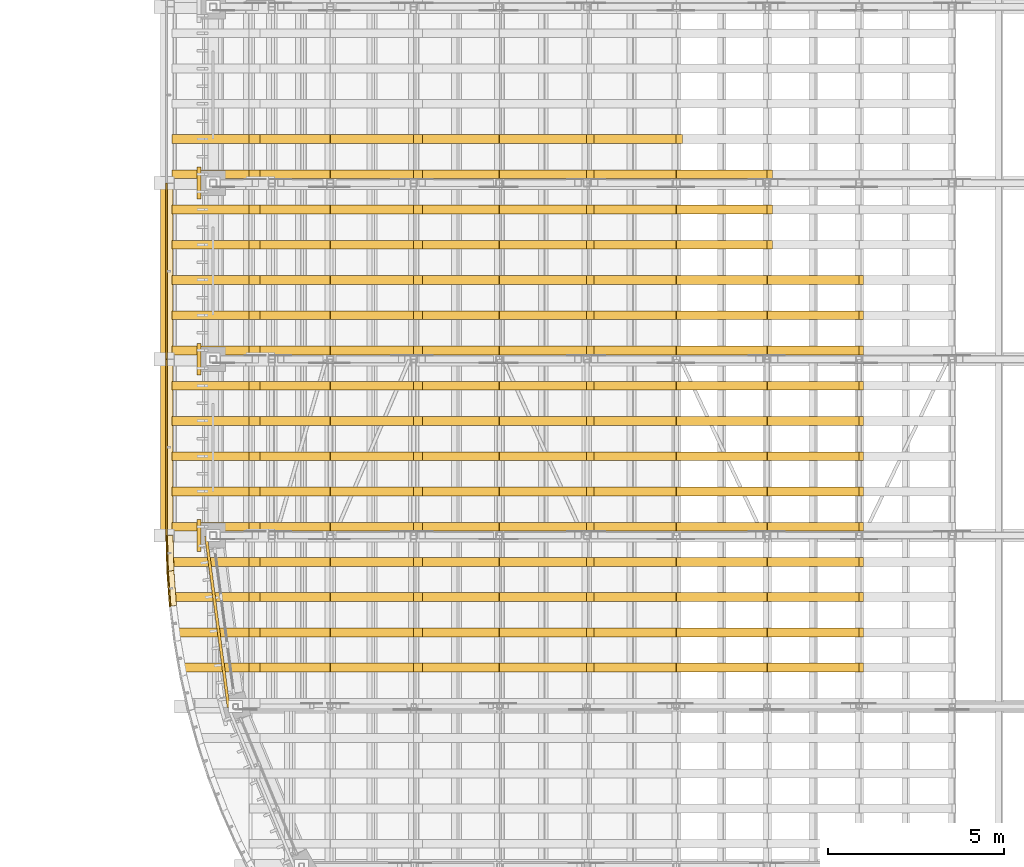
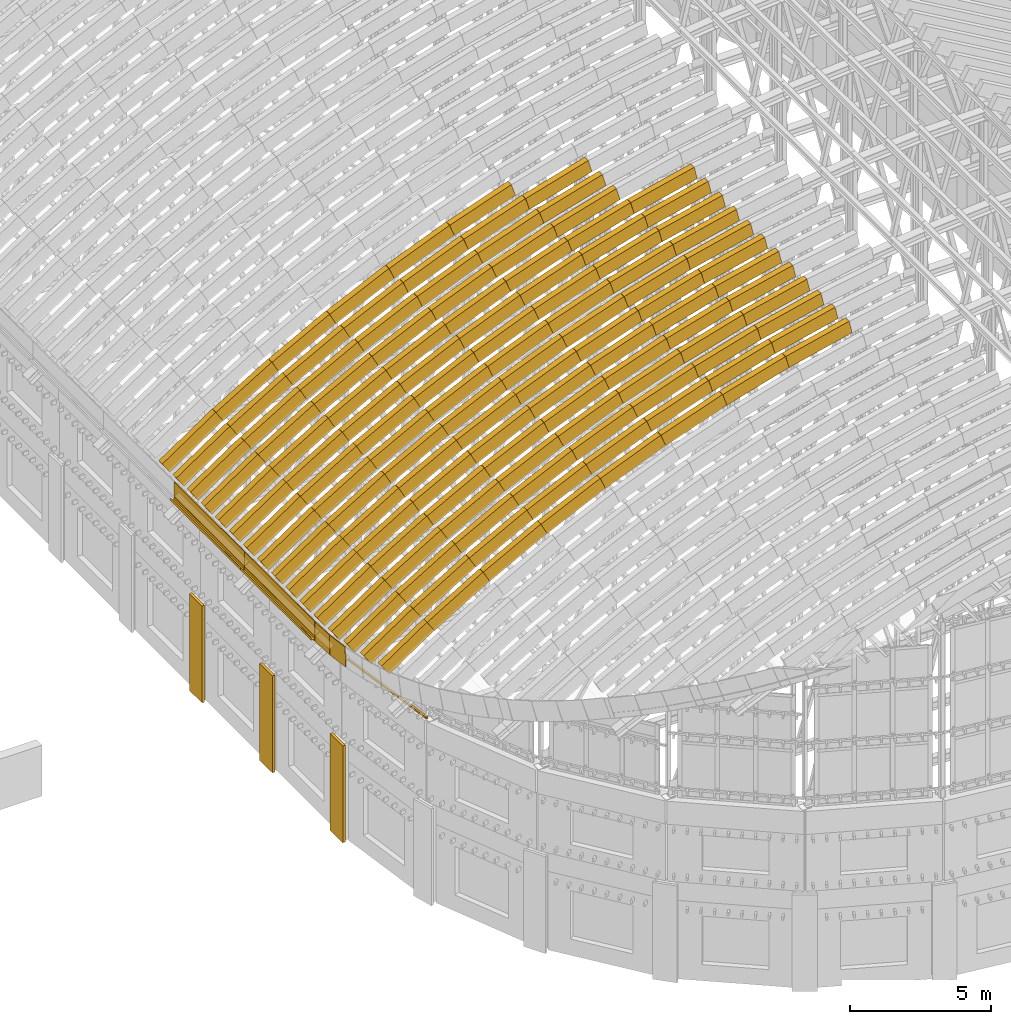
# One storey, part 85 of 105: 137 coverings.
"""IFC4 building model written with IfcOpenShell, lengths in metres."""

import ifcopenshell
import ifcopenshell.guid

model = None  # the IFC model being written
_history = None  # IfcOwnerHistory: only IFC2X3 demands one
_inside = {}  # id of a spatial element -> (the spatial element, [elements in it])
_under = {}  # id of a project, library or spatial element -> (it, [spatial elements below it])
_declared = {}  # id of a project -> (the project, [libraries it declares])
_typed = {}  # id of a type object -> (the type object, [elements of that type])
_made_of = {}  # id of a material, layer set ... -> (it, [elements and type objects made of it])


def new_model(schema):
    """Start an empty IFC model of exactly this schema.

    Asked for "IFC4X3", IfcOpenShell would pick the latest addendum, in which some entities
    have other attributes; the version numbers below select the first issue.
    IFC2X3 requires an IfcOwnerHistory on every rooted entity: one is made here for all.
    """
    global model, _history
    if schema == "IFC4X3":
        model = ifcopenshell.file(schema_version=(4, 3, 0, 0))
    else:
        model = ifcopenshell.file(schema=schema)
    _inside.clear()
    _under.clear()
    _declared.clear()
    _typed.clear()
    _made_of.clear()
    _history = None
    if model.schema == "IFC2X3":
        org = make("IfcOrganization", Name="unknown")
        user = make(
            "IfcPersonAndOrganization",
            ThePerson=make("IfcPerson", FamilyName="unknown"),
            TheOrganization=org,
        )
        app = make(
            "IfcApplication",
            ApplicationDeveloper=org,
            Version="unknown",
            ApplicationFullName="unknown",
            ApplicationIdentifier="unknown",
        )
        _history = make(
            "IfcOwnerHistory",
            OwningUser=user,
            OwningApplication=app,
            ChangeAction="ADDED",
            CreationDate=0,
        )
    return model


def make(cls, **values):
    """One entity of the class cls with the attributes given. An attribute that is None is left unset."""
    return model.create_entity(
        cls, **{name: value for name, value in values.items() if value is not None}
    )


def rooted(cls, **values):
    """An entity with a GlobalId (a new one), such as an element, a storey or a relation."""
    return make(cls, GlobalId=ifcopenshell.guid.new(), OwnerHistory=_history, **values)


def si_unit(unit_type, name, prefix=None):
    """IfcSIUnit, for example si_unit("LENGTHUNIT", "METRE", prefix="MILLI")."""
    return make("IfcSIUnit", UnitType=unit_type, Prefix=prefix, Name=name)


def assignment(units):
    """IfcUnitAssignment: the units of a project."""
    return None if units is None else make("IfcUnitAssignment", Units=units)


def point(xyz):
    """IfcCartesianPoint."""
    return None if xyz is None else make("IfcCartesianPoint", Coordinates=xyz)


def direction(xyz):
    """IfcDirection."""
    return None if xyz is None else make("IfcDirection", DirectionRatios=xyz)


def frame(location, z_axis=None, x_axis=None):
    """IfcAxis2Placement3D, a coordinate frame: its origin and axes. An axis left out is left unset."""
    return make(
        "IfcAxis2Placement3D",
        Location=point(location),
        Axis=direction(z_axis),
        RefDirection=direction(x_axis),
    )


def frame_2d(location, x_axis=None):
    """IfcAxis2Placement2D, a coordinate frame in the plane: its origin and x axis."""
    return make(
        "IfcAxis2Placement2D", Location=point(location), RefDirection=direction(x_axis)
    )


def origin():
    """The frame at (0, 0, 0) with its axes left unset."""
    return frame((0.0, 0.0, 0.0))


def origin_2d():
    """The frame at (0, 0) in the plane with its x axis left unset."""
    return frame_2d((0.0, 0.0))


def place(relative_to, where):
    """IfcLocalPlacement: puts the frame where relative to a parent placement (None: the world)."""
    return make(
        "IfcLocalPlacement", PlacementRelTo=relative_to, RelativePlacement=where
    )


def context(
    kind, dimensions, precision=None, world=None, true_north=None, identifier=None
):
    """IfcGeometricRepresentationContext, for example the 3D "Model" context."""
    return make(
        "IfcGeometricRepresentationContext",
        ContextIdentifier=identifier,
        ContextType=kind,
        CoordinateSpaceDimension=dimensions,
        Precision=precision,
        WorldCoordinateSystem=world,
        TrueNorth=true_north,
    )


def subcontext(parent, identifier, kind, view, scale=None):
    """IfcGeometricRepresentationSubContext, for example "Body" below "Model"."""
    return make(
        "IfcGeometricRepresentationSubContext",
        ContextIdentifier=identifier,
        ContextType=kind,
        ParentContext=parent,
        TargetScale=scale,
        TargetView=view,
    )


def project(units=None, contexts=None):
    """IfcProject with its units and contexts."""
    return rooted(
        "IfcProject",
        Name="project",
        RepresentationContexts=contexts,
        UnitsInContext=assignment(units),
    )


def spatial(cls, under=None, at=None, **own):
    """A site, building, storey or space (cls), placed at a placement, below another one or the project."""
    s = rooted(cls, ObjectPlacement=at, **own)
    if under is not None:
        _under.setdefault(under.id(), (under, []))[1].append(s)
    return s


def polyline(points):
    """IfcPolyline through the points."""
    return make("IfcPolyline", Points=[point(p) for p in points])


def profile(cls, at=None, kind="AREA", **sizes):
    """A parametric profile (cls). Its sizes go by their IFC names, for example OverallWidth=200.0."""
    return make(cls, ProfileType=kind, Position=at, **sizes)


def rectangle(**sizes):
    """IfcRectangleProfileDef."""
    return profile("IfcRectangleProfileDef", **sizes)


def outline(outer, holes=None, kind="AREA"):
    """IfcArbitraryClosedProfileDef: a profile drawn as a closed curve; with holes, ...WithVoids."""
    if holes is None:
        return make("IfcArbitraryClosedProfileDef", ProfileType=kind, OuterCurve=outer)
    return make(
        "IfcArbitraryProfileDefWithVoids",
        ProfileType=kind,
        OuterCurve=outer,
        InnerCurves=holes,
    )


def extrude(swept, where, along, depth):
    """IfcExtrudedAreaSolid: the profile swept, set in the frame where, extruded along a direction by depth."""
    return make(
        "IfcExtrudedAreaSolid",
        SweptArea=swept,
        Position=where,
        ExtrudedDirection=direction(along),
        Depth=depth,
    )


def shape(context_of_items, identifier, shape_type, items):
    """IfcShapeRepresentation: the items that make up one representation, for example the "Body"."""
    return make(
        "IfcShapeRepresentation",
        ContextOfItems=context_of_items,
        RepresentationIdentifier=identifier,
        RepresentationType=shape_type,
        Items=items,
    )


def material(Name=None, Category=None):
    """IfcMaterial."""
    return make("IfcMaterial", Name=Name, Category=Category)


def layer(
    of_material, thickness, ventilated=None, Name=None, Category=None, Priority=None
):
    """IfcMaterialLayer: one layer of a wall or slab, of a material (None: an air gap)."""
    return make(
        "IfcMaterialLayer",
        Material=of_material,
        LayerThickness=thickness,
        IsVentilated=ventilated,
        Name=Name,
        Category=Category,
        Priority=Priority,
    )


def layer_set(layers, Name=None):
    """IfcMaterialLayerSet."""
    return make("IfcMaterialLayerSet", MaterialLayers=layers, LayerSetName=Name)


def material_profile(
    of_material, cross_section, Name=None, Category=None, Priority=None
):
    """IfcMaterialProfile: a cross section and its material."""
    return make(
        "IfcMaterialProfile",
        Name=Name,
        Material=of_material,
        Profile=cross_section,
        Priority=Priority,
        Category=Category,
    )


def profile_set(profiles, Name=None, composite=None):
    """IfcMaterialProfileSet."""
    return make(
        "IfcMaterialProfileSet",
        Name=Name,
        MaterialProfiles=profiles,
        CompositeProfile=composite,
    )


def made_of(thing, what):
    """Note that an element or type object is made of a material, layer set ...; save() writes the relation."""
    if what is not None:
        _made_of.setdefault(what.id(), (what, []))[1].append(thing)
    return thing


def type_object(cls, material=None, **own):
    """A type object (cls), such as IfcWallType, which elements share."""
    return made_of(rooted(cls, **own), material)


def element(
    cls,
    number,
    at=None,
    inside=None,
    cuts=None,
    type_object=None,
    material=None,
    context=None,
    identifier="Body",
    shape_type=None,
    held_by="IfcProductDefinitionShape",
    body=None,
    shapes=None,
    **own,
):
    """One element of the class cls, such as IfcWall. Its Tag is "e" and its number.

    at: its placement. inside: the storey or other place that contains it. cuts: it is an
    opening in that element (IfcRelVoidsElement). A single representation is given by context,
    identifier, shape_type and body (its items); several are given by shapes. held_by: the class
    of the entity that holds the representations. save() writes the other relations.
    """
    e = rooted(cls, Tag="e%d" % number, ObjectPlacement=at, **own)
    if body is not None:
        shapes = [shape(context, identifier, shape_type, body)]
    if shapes is not None:
        e.Representation = make(held_by, Representations=shapes)
    if inside is not None:
        _inside.setdefault(inside.id(), (inside, []))[1].append(e)
    if cuts is not None:
        rooted(
            "IfcRelVoidsElement", RelatingBuildingElement=cuts, RelatedOpeningElement=e
        )
    if type_object is not None:
        _typed.setdefault(type_object.id(), (type_object, []))[1].append(e)
    return made_of(e, material)


def aggregate(whole, parts):
    """IfcRelAggregates: a whole, such as a stair, and the parts it consists of."""
    return rooted("IfcRelAggregates", RelatingObject=whole, RelatedObjects=parts)


def save(model, path):
    """Write the relations noted so far, then the file.

    IfcRelAggregates (storeys below a building ...), IfcRelContainedInSpatialStructure (elements
    in a storey), IfcRelDefinesByType, IfcRelAssociatesMaterial and IfcRelDeclares: one each for
    every whole, place, type object, material and project.
    """
    for whole, parts in _under.values():
        aggregate(whole, parts)
    for where, things in _inside.values():
        rooted(
            "IfcRelContainedInSpatialStructure",
            RelatedElements=things,
            RelatingStructure=where,
        )
    for kind, things in _typed.values():
        rooted("IfcRelDefinesByType", RelatedObjects=things, RelatingType=kind)
    for what, things in _made_of.values():
        rooted("IfcRelAssociatesMaterial", RelatedObjects=things, RelatingMaterial=what)
    for by, libraries in _declared.values():
        rooted("IfcRelDeclares", RelatingContext=by, RelatedDefinitions=libraries)
    model.write(path)


model = new_model("IFC4")

# Units and contexts
model_context = context("Model", 3, precision=1e-05, world=origin(), true_north=direction((0.0, 1.0)))
body_context = subcontext(model_context, "Body", "Model", "MODEL_VIEW")
ifc_project = project(units=[si_unit("LENGTHUNIT", "METRE"), si_unit("AREAUNIT", "SQUARE_METRE"), si_unit("VOLUMEUNIT", "CUBIC_METRE"), si_unit("PLANEANGLEUNIT", "RADIAN"), si_unit("MASSUNIT", "GRAM", prefix="KILO")], contexts=[model_context])

# Site, building, storey
site_placement = place(None, origin())
site = spatial("IfcSite", under=ifc_project, at=site_placement, CompositionType="ELEMENT")
building_placement = place(site_placement, origin())
building = spatial("IfcBuilding", under=site, at=building_placement, Name="Wasatch Bagh Community Centre", CompositionType="ELEMENT")
storey_placement = place(building_placement, frame((0.0, 0.0, 16.800048828125)))
storey = spatial("IfcBuildingStorey", under=building, at=storey_placement, Name="L04", CompositionType="ELEMENT", Elevation=16.800048828125)

# Coverings
ifc_material_1 = material(Name="White precast concrete C40/50", Category="concrete")
ifc_layer = layer(ifc_material_1, 0.10009765625)
ifc_layer_set = layer_set([ifc_layer], Name="White precast concrete C40/50")
covering_type_1 = type_object("IfcCoveringType", Name="MH column casing", PredefinedType="CLADDING", material=ifc_layer_set)
for number, where, z_axis, x_axis, name in (
    (1, (16.85009765625, 35.0, 0.0), (0.0, 0.0, 1.0), (0.0, -1.0, 0.0), "Column casing W1 L04"),
    (2, (16.85009765625, 40.0, 0.0), (0.0, 0.0, 1.0), (0.0, -1.0, 0.0), "Column casing W2 L04"),
    (3, (16.85009765625, 45.0, 0.0), (0.0, 0.0, 1.0), (0.0, -1.0, 0.0), "Column casing W3 L04"),
):
    element("IfcCovering", number, at=place(storey_placement, frame(where, z_axis=z_axis, x_axis=x_axis)), inside=storey, type_object=covering_type_1, Name=name, PredefinedType="CLADDING", context=body_context, shape_type="SweptSolid", body=[
        extrude(rectangle(XDim=0.89990234375, YDim=0.10009765625, at=origin_2d()), origin(), (0.0, 0.0, 1.0), 4.199951171875),
    ])
ifc_material_2 = material(Name="ASTM A653 Grade 50 steel, zinc-aluminium coated", Category="steel")
ifc_material_profile_1 = material_profile(ifc_material_2, outline(polyline([(-0.080078125, 0.0029296875), (0.152099609375, 0.0029296875), (0.152099609375, -0.031982421875), (0.14892578125, -0.031982421875), (0.14892578125, 0.0), (-0.080078125, 0.0), (-0.080078125, 0.0029296875)])), Name="DRIP EDGE")
ifc_profile_set_1 = profile_set([ifc_material_profile_1], Name="ASTM A653 Grade 50 steel, zinc-aluminium coated")
covering_type_2 = type_object("IfcCoveringType", Name="MH drip edge", PredefinedType="CLADDING", material=ifc_profile_set_1)
covering_1_placement = place(storey_placement, frame((16.147705078125, 33.00927734375, 9.140380859375), z_axis=(-0.073572812373, 0.996062690583, -0.049458646444), x_axis=(-0.82552461009, -0.088651480683, -0.557359877555)))
element("IfcCovering", 4, at=covering_1_placement, inside=storey, type_object=covering_type_2, Name="Drip edge 76", PredefinedType="CLADDING", context=body_context, shape_type="SweptSolid", body=[
    extrude(outline(polyline([(-0.080078125, 0.0029296875), (0.152099609375, 0.0029296875), (0.152099609375, -0.031982421875), (0.14892578125, -0.031982421875), (0.14892578125, 0.0), (-0.080078125, 0.0), (-0.080078125, 0.0029296875)])), origin(), (0.0, 0.0, 1.0), 0.9921875),
])
covering_2_placement = place(storey_placement, frame((16.074462890625, 34.00537109375, 9.091064453125), z_axis=(-0.024631746322, 0.999556265746, -0.016749587499), x_axis=(-0.828421906561, -0.029786940563, -0.559311972786)))
element("IfcCovering", 5, at=covering_2_placement, inside=storey, type_object=covering_type_2, Name="Drip edge 77", PredefinedType="CLADDING", context=body_context, shape_type="SweptSolid", body=[
    extrude(outline(polyline([(-0.080078125, 0.0029296875), (0.152099609375, 0.0029296875), (0.152099609375, -0.031982421875), (0.14892578125, -0.031982421875), (0.14892578125, 0.0), (-0.080078125, 0.0), (-0.080078125, 0.0029296875)])), origin(), (0.0, 0.0, 1.0), 0.9912109375),
])
for number, where, z_axis, x_axis, name in (
    (6, (16.050048828125, 35.00390625, 9.074462890625), (0.0, 1.0, 0.0), (-0.828790536479, 0.0, -0.559558975125), "Drip edge 78"),
    (7, (16.050048828125, 40.00390625, 9.074462890625), (0.0, 1.0, 0.0), (-0.828790536479, 0.0, -0.559558975125), "Drip edge 79"),
):
    element("IfcCovering", number, at=place(storey_placement, frame(where, z_axis=z_axis, x_axis=x_axis)), inside=storey, type_object=covering_type_2, Name=name, PredefinedType="CLADDING", context=body_context, shape_type="SweptSolid", body=[
        extrude(outline(polyline([(-0.080078125, 0.0029296875), (0.152099609375, 0.0029296875), (0.152099609375, -0.031982421875), (0.14892578125, -0.031982421875), (0.14892578125, 0.0), (-0.080078125, 0.0), (-0.080078125, 0.0029296875)])), origin(), (0.0, 0.0, 1.0), 4.9921875),
    ])
ifc_material_profile_2 = material_profile(ifc_material_2, rectangle(XDim=0.0400390625, YDim=0.85009765625, at=origin_2d()), Name="FASCIA 40x850")
ifc_profile_set_2 = profile_set([ifc_material_profile_2], Name="ASTM A653 Grade 50 steel, zinc-aluminium coated")
covering_type_3 = type_object("IfcCoveringType", Name="MH eave fascia 40x850", PredefinedType="CLADDING", material=ifc_profile_set_2)
covering_3_placement = place(storey_placement, frame((16.028076171875, 33.00048828125, 9.265869140625), z_axis=(-0.073572812373, 0.996062690583, -0.049458646444), x_axis=(-0.997283193411, -0.07366296315, 0.0)))
element("IfcCovering", 8, at=covering_3_placement, inside=storey, type_object=covering_type_3, Name="Eave fascia 76", PredefinedType="CLADDING", context=body_context, shape_type="SweptSolid", body=[
    extrude(rectangle(XDim=0.0400390625, YDim=0.85009765625, at=origin_2d()), origin(), (0.0, 0.0, 1.0), 0.9921875),
])
covering_4_placement = place(storey_placement, frame((15.954345703125, 34.00244140625, 9.216064453125), z_axis=(-0.024385576072, 0.999562300015, -0.016749688615), x_axis=(-0.99970254416, -0.024388997504, 0.0)))
element("IfcCovering", 9, at=covering_4_placement, inside=storey, type_object=covering_type_3, Name="Eave fascia 77", PredefinedType="CLADDING", context=body_context, shape_type="SweptSolid", body=[
    extrude(rectangle(XDim=0.0400390625, YDim=0.85009765625, at=origin_2d()), origin(), (0.0, 0.0, 1.0), 0.9912109375),
])
for number, where, z_axis, x_axis, name in (
    (10, (15.929931640625, 35.00390625, 9.199462890625), (0.0, 1.0, 0.0), (-1.0, 0.0, 0.0), "Eave fascia 78"),
    (11, (15.929931640625, 40.00390625, 9.199462890625), (0.0, 1.0, 0.0), (-1.0, 0.0, 0.0), "Eave fascia 79"),
):
    element("IfcCovering", number, at=place(storey_placement, frame(where, z_axis=z_axis, x_axis=x_axis)), inside=storey, type_object=covering_type_3, Name=name, PredefinedType="CLADDING", context=body_context, shape_type="SweptSolid", body=[
        extrude(rectangle(XDim=0.0400390625, YDim=0.85009765625, at=origin_2d()), origin(), (0.0, 0.0, 1.0), 4.9921875),
    ])
ifc_material_3 = material(Name="Aluminium sheet, powder coated", Category="aluminium")
ifc_material_profile_3 = material_profile(ifc_material_3, outline(polyline([(-0.074951171875, 0.0), (-0.074951171875, -0.1201171875), (0.074951171875, -0.1201171875), (0.074951171875, 0.0), (0.072021484375, 0.0), (0.072021484375, -0.116943359375), (-0.072021484375, -0.116943359375), (-0.072021484375, 0.0), (-0.074951171875, 0.0)])), Name="GUTTER 150x120")
ifc_profile_set_3 = profile_set([ifc_material_profile_3], Name="Aluminium sheet, powder coated")
covering_type_4 = type_object("IfcCoveringType", Name="MH eave gutter 150x120", PredefinedType="CLADDING", material=ifc_profile_set_3)
for number, where, z_axis, x_axis, name in (
    (12, (15.8349609375, 35.00390625, 8.984375), (0.0, 1.0, 0.0), (-1.0, 0.0, 0.0), "Eave gutter 1"),
    (13, (15.8349609375, 40.00390625, 8.984375), (0.0, 1.0, 0.0), (-1.0, 0.0, 0.0), "Eave gutter 2"),
):
    element("IfcCovering", number, at=place(storey_placement, frame(where, z_axis=z_axis, x_axis=x_axis)), inside=storey, type_object=covering_type_4, Name=name, PredefinedType="CLADDING", context=body_context, shape_type="SweptSolid", body=[
        extrude(outline(polyline([(-0.074951171875, 0.0), (-0.074951171875, -0.1201171875), (0.074951171875, -0.1201171875), (0.074951171875, 0.0), (0.072021484375, 0.0), (0.072021484375, -0.116943359375), (-0.072021484375, -0.116943359375), (-0.072021484375, 0.0), (-0.074951171875, 0.0)])), origin(), (0.0, 0.0, 1.0), 4.9921875),
    ])
ifc_material_4 = material(Name="Aluminium extrusion", Category="aluminium")
ifc_material_profile_4 = material_profile(ifc_material_4, rectangle(XDim=0.080078125, YDim=0.080078125, at=origin_2d()), Name="AL 80x80")
ifc_profile_set_4 = profile_set([ifc_material_profile_4], Name="Aluminium extrusion")
covering_type_5 = type_object("IfcCoveringType", Name="MH fin rail 80x80", PredefinedType="CLADDING", material=ifc_profile_set_4)
covering_5_placement = place(storey_placement, frame((17.0517578125, 34.973876953125, 7.7900390625), z_axis=(0.130533218363, -0.991443936339, 0.0), x_axis=(0.991443936339, 0.130533218363, 0.0)))
element("IfcCovering", 14, at=covering_5_placement, inside=storey, type_object=covering_type_5, Name="Fin rail 1.1", PredefinedType="CLADDING", context=body_context, shape_type="SweptSolid", body=[
    extrude(rectangle(XDim=0.080078125, YDim=0.080078125, at=origin_2d()), origin(), (0.0, 0.0, 1.0), 4.894775390625),
])
covering_type_6 = type_object("IfcCoveringType", Name="MH roll-over fin rib", PredefinedType="ROOFING", material=ifc_material_2)
covering_6_placement = place(storey_placement, frame((16.41162109375, 31.125, 9.86865234375), z_axis=(-0.559545869083, 0.0, 0.828799384889), x_axis=(0.828799384889, 0.0, 0.559545869083)))
element("IfcCovering", 15, at=covering_6_placement, inside=storey, type_object=covering_type_6, Name="Seam rib 1.6", PredefinedType="ROOFING", context=body_context, shape_type="SweptSolid", body=[
    extrude(outline(polyline([(0.0, 0.0), (2.2396266282502517, 0.0), (2.2396266282502517, 0.25), (0.0, 0.25), (0.0, 0.0)])), origin(), (0.0, 0.0, -1.0), 0.550048828125),
])
covering_7_placement = place(storey_placement, frame((16.255859375, 32.125, 9.763427734375), z_axis=(-0.55956439547, 0.0, 0.8287868769), x_axis=(0.8287868769, 0.0, 0.55956439547)))
element("IfcCovering", 16, at=covering_7_placement, inside=storey, type_object=covering_type_6, Name="Seam rib 1.7", PredefinedType="ROOFING", context=body_context, shape_type="SweptSolid", body=[
    extrude(outline(polyline([(0.0, 0.0), (2.4275998410476443, 0.0), (2.4275998410476443, 0.25), (0.0, 0.25), (0.0, 0.0)])), origin(), (0.0, 0.0, -1.0), 0.550048828125),
])
covering_8_placement = place(storey_placement, frame((16.15087890625, 33.125, 9.692626953125), z_axis=(-0.559543442463, 0.0, 0.828801023163), x_axis=(0.828801023163, 0.0, 0.559543442463)))
element("IfcCovering", 17, at=covering_8_placement, inside=storey, type_object=covering_type_6, Name="Seam rib 1.8", PredefinedType="ROOFING", context=body_context, shape_type="SweptSolid", body=[
    extrude(outline(polyline([(0.0, 0.0), (2.554223873053715, 0.0), (2.554223873053715, 0.25000000000000006), (0.0, 0.25000000000000006), (0.0, 0.0)])), origin(), (0.0, 0.0, -1.0), 0.550048828125),
])
covering_9_placement = place(storey_placement, frame((16.095458984375, 34.125, 9.655029296875), z_axis=(-0.559591225168, 0.0, 0.828768761908), x_axis=(0.828768761908, 0.0, 0.559591225168)))
element("IfcCovering", 18, at=covering_9_placement, inside=storey, type_object=covering_type_6, Name="Seam rib 1.9", PredefinedType="ROOFING", context=body_context, shape_type="SweptSolid", body=[
    extrude(outline(polyline([(0.0, 0.0), (2.621193487370406, 0.0), (2.621193487370406, 0.25), (0.0, 0.25), (0.0, 0.0)])), origin(), (0.0, 0.0, -1.0), 0.550048828125),
])
for number, where, z_axis, x_axis, name in (
    (19, (16.080078125, 35.125, 9.644775390625), (-0.559557041117, 0.0, 0.828791842223), (0.828791842223, 0.0, 0.559557041117), "Seam rib 1.10"),
    (20, (16.080078125, 36.125, 9.644775390625), (-0.559557041117, 0.0, 0.828791842223), (0.828791842223, 0.0, 0.559557041117), "Seam rib 1.11"),
    (21, (16.080078125, 37.125, 9.644775390625), (-0.559557041117, 0.0, 0.828791842223), (0.828791842223, 0.0, 0.559557041117), "Seam rib 1.12"),
    (22, (16.080078125, 38.125, 9.644775390625), (-0.559557041117, 0.0, 0.828791842223), (0.828791842223, 0.0, 0.559557041117), "Seam rib 1.13"),
    (23, (16.080078125, 39.125, 9.644775390625), (-0.559557041117, 0.0, 0.828791842223), (0.828791842223, 0.0, 0.559557041117), "Seam rib 1.14"),
    (24, (16.080078125, 40.125, 9.644775390625), (-0.559557041117, 0.0, 0.828791842223), (0.828791842223, 0.0, 0.559557041117), "Seam rib 1.15"),
    (25, (16.080078125, 41.125, 9.644775390625), (-0.559557041117, 0.0, 0.828791842223), (0.828791842223, 0.0, 0.559557041117), "Seam rib 1.16"),
    (26, (16.080078125, 42.125, 9.644775390625), (-0.559557041117, 0.0, 0.828791842223), (0.828791842223, 0.0, 0.559557041117), "Seam rib 1.17"),
    (27, (16.080078125, 43.125, 9.644775390625), (-0.559557041117, 0.0, 0.828791842223), (0.828791842223, 0.0, 0.559557041117), "Seam rib 1.18"),
    (28, (16.080078125, 44.125, 9.644775390625), (-0.559557041117, 0.0, 0.828791842223), (0.828791842223, 0.0, 0.559557041117), "Seam rib 1.19"),
    (29, (16.080078125, 45.125, 9.644775390625), (-0.559557041117, 0.0, 0.828791842223), (0.828791842223, 0.0, 0.559557041117), "Seam rib 1.20"),
    (30, (16.080078125, 46.125, 9.644775390625), (-0.559557041117, 0.0, 0.828791842223), (0.828791842223, 0.0, 0.559557041117), "Seam rib 1.21"),
):
    element("IfcCovering", number, at=place(storey_placement, frame(where, z_axis=z_axis, x_axis=x_axis)), inside=storey, type_object=covering_type_6, Name=name, PredefinedType="ROOFING", context=body_context, shape_type="SweptSolid", body=[
        extrude(outline(polyline([(0.0, 0.0), (2.6396786613582828, 0.0), (2.6396786613582828, 0.25), (0.0, 0.25), (0.0, 0.0)])), origin(), (0.0, 0.0, -1.0), 0.550048828125),
    ])
for number, where, z_axis, x_axis, name in (
    (31, (18.282958984375, 31.125, 11.11376953125), (-0.5160563274, 0.0, 0.856554649132), (0.856554649132, 0.0, 0.5160563274), "Seam rib 2.9"),
    (32, (18.282958984375, 32.125, 11.11376953125), (-0.5160563274, 0.0, 0.856554649132), (0.856554649132, 0.0, 0.5160563274), "Seam rib 2.10"),
    (33, (18.282958984375, 33.125, 11.11376953125), (-0.5160563274, 0.0, 0.856554649132), (0.856554649132, 0.0, 0.5160563274), "Seam rib 2.11"),
    (34, (18.282958984375, 34.125, 11.11376953125), (-0.5160563274, 0.0, 0.856554649132), (0.856554649132, 0.0, 0.5160563274), "Seam rib 2.12"),
    (35, (18.282958984375, 35.125, 11.11376953125), (-0.5160563274, 0.0, 0.856554649132), (0.856554649132, 0.0, 0.5160563274), "Seam rib 2.13"),
    (36, (18.282958984375, 36.125, 11.11376953125), (-0.5160563274, 0.0, 0.856554649132), (0.856554649132, 0.0, 0.5160563274), "Seam rib 2.14"),
    (37, (18.282958984375, 37.125, 11.11376953125), (-0.5160563274, 0.0, 0.856554649132), (0.856554649132, 0.0, 0.5160563274), "Seam rib 2.15"),
    (38, (18.282958984375, 38.125, 11.11376953125), (-0.5160563274, 0.0, 0.856554649132), (0.856554649132, 0.0, 0.5160563274), "Seam rib 2.16"),
    (39, (18.282958984375, 39.125, 11.11376953125), (-0.5160563274, 0.0, 0.856554649132), (0.856554649132, 0.0, 0.5160563274), "Seam rib 2.17"),
    (40, (18.282958984375, 40.125, 11.11376953125), (-0.5160563274, 0.0, 0.856554649132), (0.856554649132, 0.0, 0.5160563274), "Seam rib 2.18"),
    (41, (18.282958984375, 41.125, 11.11376953125), (-0.5160563274, 0.0, 0.856554649132), (0.856554649132, 0.0, 0.5160563274), "Seam rib 2.19"),
    (42, (18.282958984375, 42.125, 11.11376953125), (-0.5160563274, 0.0, 0.856554649132), (0.856554649132, 0.0, 0.5160563274), "Seam rib 2.20"),
    (43, (18.282958984375, 43.125, 11.11376953125), (-0.5160563274, 0.0, 0.856554649132), (0.856554649132, 0.0, 0.5160563274), "Seam rib 2.21"),
    (44, (18.282958984375, 44.125, 11.11376953125), (-0.5160563274, 0.0, 0.856554649132), (0.856554649132, 0.0, 0.5160563274), "Seam rib 2.22"),
    (45, (18.282958984375, 45.125, 11.11376953125), (-0.5160563274, 0.0, 0.856554649132), (0.856554649132, 0.0, 0.5160563274), "Seam rib 2.23"),
    (46, (18.282958984375, 46.125, 11.11376953125), (-0.5160563274, 0.0, 0.856554649132), (0.856554649132, 0.0, 0.5160563274), "Seam rib 2.24"),
):
    element("IfcCovering", number, at=place(storey_placement, frame(where, z_axis=z_axis, x_axis=x_axis)), inside=storey, type_object=covering_type_6, Name=name, PredefinedType="ROOFING", context=body_context, shape_type="SweptSolid", body=[
        extrude(outline(polyline([(0.0, 0.0), (2.667276362417656, 0.0), (2.667276362417656, 0.25), (0.0, 0.25), (0.0, 0.0)])), origin(), (0.0, 0.0, -1.0), 0.550048828125),
    ])
for number, where, z_axis, x_axis, name in (
    (47, (20.582763671875, 31.125, 12.483642578125), (-0.471139156817, 0.0, 0.882058895377), (0.882058895377, 0.0, 0.471139156817), "Seam rib 3.12"),
    (48, (20.582763671875, 32.125, 12.483642578125), (-0.471139156817, 0.0, 0.882058895377), (0.882058895377, 0.0, 0.471139156817), "Seam rib 3.13"),
    (49, (20.582763671875, 33.125, 12.483642578125), (-0.471139156817, 0.0, 0.882058895377), (0.882058895377, 0.0, 0.471139156817), "Seam rib 3.14"),
    (50, (20.582763671875, 34.125, 12.483642578125), (-0.471139156817, 0.0, 0.882058895377), (0.882058895377, 0.0, 0.471139156817), "Seam rib 3.15"),
    (51, (20.582763671875, 35.125, 12.483642578125), (-0.471139156817, 0.0, 0.882058895377), (0.882058895377, 0.0, 0.471139156817), "Seam rib 3.16"),
    (52, (20.582763671875, 36.125, 12.483642578125), (-0.471139156817, 0.0, 0.882058895377), (0.882058895377, 0.0, 0.471139156817), "Seam rib 3.17"),
    (53, (20.582763671875, 37.125, 12.483642578125), (-0.471139156817, 0.0, 0.882058895377), (0.882058895377, 0.0, 0.471139156817), "Seam rib 3.18"),
    (54, (20.582763671875, 38.125, 12.483642578125), (-0.471139156817, 0.0, 0.882058895377), (0.882058895377, 0.0, 0.471139156817), "Seam rib 3.19"),
    (55, (20.582763671875, 39.125, 12.483642578125), (-0.471139156817, 0.0, 0.882058895377), (0.882058895377, 0.0, 0.471139156817), "Seam rib 3.20"),
    (56, (20.582763671875, 40.125, 12.483642578125), (-0.471139156817, 0.0, 0.882058895377), (0.882058895377, 0.0, 0.471139156817), "Seam rib 3.21"),
    (57, (20.582763671875, 41.125, 12.483642578125), (-0.471139156817, 0.0, 0.882058895377), (0.882058895377, 0.0, 0.471139156817), "Seam rib 3.22"),
    (58, (20.582763671875, 42.125, 12.483642578125), (-0.471139156817, 0.0, 0.882058895377), (0.882058895377, 0.0, 0.471139156817), "Seam rib 3.23"),
    (59, (20.582763671875, 43.125, 12.483642578125), (-0.471139156817, 0.0, 0.882058895377), (0.882058895377, 0.0, 0.471139156817), "Seam rib 3.24"),
    (60, (20.582763671875, 44.125, 12.483642578125), (-0.471139156817, 0.0, 0.882058895377), (0.882058895377, 0.0, 0.471139156817), "Seam rib 3.25"),
    (61, (20.582763671875, 45.125, 12.483642578125), (-0.471139156817, 0.0, 0.882058895377), (0.882058895377, 0.0, 0.471139156817), "Seam rib 3.26"),
    (62, (20.582763671875, 46.125, 12.483642578125), (-0.471139156817, 0.0, 0.882058895377), (0.882058895377, 0.0, 0.471139156817), "Seam rib 3.27"),
):
    element("IfcCovering", number, at=place(storey_placement, frame(where, z_axis=z_axis, x_axis=x_axis)), inside=storey, type_object=covering_type_6, Name=name, PredefinedType="ROOFING", context=body_context, shape_type="SweptSolid", body=[
        extrude(outline(polyline([(0.0, 0.0), (2.6676533234711526, 0.0), (2.6676533234711526, 0.25000000000000006), (0.0, 0.25000000000000006), (0.0, 0.0)])), origin(), (0.0, 0.0, -1.0), 0.550048828125),
    ])
for number, where, z_axis, x_axis, name in (
    (63, (22.951171875, 31.125, 13.735107421875), (-0.425003555099, 0.0, 0.905191680338), (0.905191680338, 0.0, 0.425003555099), "Seam rib 4.14"),
    (64, (22.951171875, 32.125, 13.735107421875), (-0.425003555099, 0.0, 0.905191680338), (0.905191680338, 0.0, 0.425003555099), "Seam rib 4.15"),
    (65, (22.951171875, 33.125, 13.735107421875), (-0.425003555099, 0.0, 0.905191680338), (0.905191680338, 0.0, 0.425003555099), "Seam rib 4.16"),
    (66, (22.951171875, 34.125, 13.735107421875), (-0.425003555099, 0.0, 0.905191680338), (0.905191680338, 0.0, 0.425003555099), "Seam rib 4.17"),
    (67, (22.951171875, 35.125, 13.735107421875), (-0.425003555099, 0.0, 0.905191680338), (0.905191680338, 0.0, 0.425003555099), "Seam rib 4.18"),
    (68, (22.951171875, 36.125, 13.735107421875), (-0.425003555099, 0.0, 0.905191680338), (0.905191680338, 0.0, 0.425003555099), "Seam rib 4.19"),
    (69, (22.951171875, 37.125, 13.735107421875), (-0.425003555099, 0.0, 0.905191680338), (0.905191680338, 0.0, 0.425003555099), "Seam rib 4.20"),
    (70, (22.951171875, 38.125, 13.735107421875), (-0.425003555099, 0.0, 0.905191680338), (0.905191680338, 0.0, 0.425003555099), "Seam rib 4.21"),
    (71, (22.951171875, 39.125, 13.735107421875), (-0.425003555099, 0.0, 0.905191680338), (0.905191680338, 0.0, 0.425003555099), "Seam rib 4.22"),
    (72, (22.951171875, 40.125, 13.735107421875), (-0.425003555099, 0.0, 0.905191680338), (0.905191680338, 0.0, 0.425003555099), "Seam rib 4.23"),
    (73, (22.951171875, 41.125, 13.735107421875), (-0.425003555099, 0.0, 0.905191680338), (0.905191680338, 0.0, 0.425003555099), "Seam rib 4.24"),
    (74, (22.951171875, 42.125, 13.735107421875), (-0.425003555099, 0.0, 0.905191680338), (0.905191680338, 0.0, 0.425003555099), "Seam rib 4.25"),
    (75, (22.951171875, 43.125, 13.735107421875), (-0.425003555099, 0.0, 0.905191680338), (0.905191680338, 0.0, 0.425003555099), "Seam rib 4.26"),
    (76, (22.951171875, 44.125, 13.735107421875), (-0.425003555099, 0.0, 0.905191680338), (0.905191680338, 0.0, 0.425003555099), "Seam rib 4.27"),
    (77, (22.951171875, 45.125, 13.735107421875), (-0.425003555099, 0.0, 0.905191680338), (0.905191680338, 0.0, 0.425003555099), "Seam rib 4.28"),
    (78, (22.951171875, 46.125, 13.735107421875), (-0.425003555099, 0.0, 0.905191680338), (0.905191680338, 0.0, 0.425003555099), "Seam rib 4.29"),
):
    element("IfcCovering", number, at=place(storey_placement, frame(where, z_axis=z_axis, x_axis=x_axis)), inside=storey, type_object=covering_type_6, Name=name, PredefinedType="ROOFING", context=body_context, shape_type="SweptSolid", body=[
        extrude(outline(polyline([(0.0, 0.0), (2.667716655298669, 0.0), (2.667716655298669, 0.25), (0.0, 0.25), (0.0, 0.0)])), origin(), (0.0, 0.0, -1.0), 0.550048828125),
    ])
for number, where, z_axis, x_axis, name in (
    (79, (25.381591796875, 31.125, 14.864501953125), (-0.377724112036, 0.0, 0.925918190332), (0.925918190332, 0.0, 0.377724112036), "Seam rib 5.15"),
    (80, (25.381591796875, 32.125, 14.864501953125), (-0.377724112036, 0.0, 0.925918190332), (0.925918190332, 0.0, 0.377724112036), "Seam rib 5.16"),
    (81, (25.381591796875, 33.125, 14.864501953125), (-0.377724112036, 0.0, 0.925918190332), (0.925918190332, 0.0, 0.377724112036), "Seam rib 5.17"),
    (82, (25.381591796875, 34.125, 14.864501953125), (-0.377724112036, 0.0, 0.925918190332), (0.925918190332, 0.0, 0.377724112036), "Seam rib 5.18"),
    (83, (25.381591796875, 35.125, 14.864501953125), (-0.377724112036, 0.0, 0.925918190332), (0.925918190332, 0.0, 0.377724112036), "Seam rib 5.19"),
    (84, (25.381591796875, 36.125, 14.864501953125), (-0.377724112036, 0.0, 0.925918190332), (0.925918190332, 0.0, 0.377724112036), "Seam rib 5.20"),
    (85, (25.381591796875, 37.125, 14.864501953125), (-0.377724112036, 0.0, 0.925918190332), (0.925918190332, 0.0, 0.377724112036), "Seam rib 5.21"),
    (86, (25.381591796875, 38.125, 14.864501953125), (-0.377724112036, 0.0, 0.925918190332), (0.925918190332, 0.0, 0.377724112036), "Seam rib 5.22"),
    (87, (25.381591796875, 39.125, 14.864501953125), (-0.377724112036, 0.0, 0.925918190332), (0.925918190332, 0.0, 0.377724112036), "Seam rib 5.23"),
    (88, (25.381591796875, 40.125, 14.864501953125), (-0.377724112036, 0.0, 0.925918190332), (0.925918190332, 0.0, 0.377724112036), "Seam rib 5.24"),
    (89, (25.381591796875, 41.125, 14.864501953125), (-0.377724112036, 0.0, 0.925918190332), (0.925918190332, 0.0, 0.377724112036), "Seam rib 5.25"),
    (90, (25.381591796875, 42.125, 14.864501953125), (-0.377724112036, 0.0, 0.925918190332), (0.925918190332, 0.0, 0.377724112036), "Seam rib 5.26"),
    (91, (25.381591796875, 43.125, 14.864501953125), (-0.377724112036, 0.0, 0.925918190332), (0.925918190332, 0.0, 0.377724112036), "Seam rib 5.27"),
    (92, (25.381591796875, 44.125, 14.864501953125), (-0.377724112036, 0.0, 0.925918190332), (0.925918190332, 0.0, 0.377724112036), "Seam rib 5.28"),
    (93, (25.381591796875, 45.125, 14.864501953125), (-0.377724112036, 0.0, 0.925918190332), (0.925918190332, 0.0, 0.377724112036), "Seam rib 5.29"),
    (94, (25.381591796875, 46.125, 14.864501953125), (-0.377724112036, 0.0, 0.925918190332), (0.925918190332, 0.0, 0.377724112036), "Seam rib 5.30"),
):
    element("IfcCovering", number, at=place(storey_placement, frame(where, z_axis=z_axis, x_axis=x_axis)), inside=storey, type_object=covering_type_6, Name=name, PredefinedType="ROOFING", context=body_context, shape_type="SweptSolid", body=[
        extrude(outline(polyline([(0.0, 0.0), (2.6681179937617836, 0.0), (2.6681179937617836, 0.25), (0.0, 0.25), (0.0, 0.0)])), origin(), (0.0, 0.0, -1.0), 0.550048828125),
    ])
for number, where, z_axis, x_axis, name in (
    (95, (27.867919921875, 31.125, 15.868896484375), (-0.329400612104, 0.0, 0.944190254528), (0.944190254528, 0.0, 0.329400612104), "Seam rib 6.16"),
    (96, (27.867919921875, 32.125, 15.868896484375), (-0.329400612104, 0.0, 0.944190254528), (0.944190254528, 0.0, 0.329400612104), "Seam rib 6.17"),
    (97, (27.867919921875, 33.125, 15.868896484375), (-0.329400612104, 0.0, 0.944190254528), (0.944190254528, 0.0, 0.329400612104), "Seam rib 6.18"),
    (98, (27.867919921875, 34.125, 15.868896484375), (-0.329400612104, 0.0, 0.944190254528), (0.944190254528, 0.0, 0.329400612104), "Seam rib 6.19"),
    (99, (27.867919921875, 35.125, 15.868896484375), (-0.329400612104, 0.0, 0.944190254528), (0.944190254528, 0.0, 0.329400612104), "Seam rib 6.20"),
    (100, (27.867919921875, 36.125, 15.868896484375), (-0.329400612104, 0.0, 0.944190254528), (0.944190254528, 0.0, 0.329400612104), "Seam rib 6.21"),
    (101, (27.867919921875, 37.125, 15.868896484375), (-0.329400612104, 0.0, 0.944190254528), (0.944190254528, 0.0, 0.329400612104), "Seam rib 6.22"),
    (102, (27.867919921875, 38.125, 15.868896484375), (-0.329400612104, 0.0, 0.944190254528), (0.944190254528, 0.0, 0.329400612104), "Seam rib 6.23"),
    (103, (27.867919921875, 39.125, 15.868896484375), (-0.329400612104, 0.0, 0.944190254528), (0.944190254528, 0.0, 0.329400612104), "Seam rib 6.24"),
    (104, (27.867919921875, 40.125, 15.868896484375), (-0.329400612104, 0.0, 0.944190254528), (0.944190254528, 0.0, 0.329400612104), "Seam rib 6.25"),
    (105, (27.867919921875, 41.125, 15.868896484375), (-0.329400612104, 0.0, 0.944190254528), (0.944190254528, 0.0, 0.329400612104), "Seam rib 6.26"),
    (106, (27.867919921875, 42.125, 15.868896484375), (-0.329400612104, 0.0, 0.944190254528), (0.944190254528, 0.0, 0.329400612104), "Seam rib 6.27"),
    (107, (27.867919921875, 43.125, 15.868896484375), (-0.329400612104, 0.0, 0.944190254528), (0.944190254528, 0.0, 0.329400612104), "Seam rib 6.28"),
    (108, (27.867919921875, 44.125, 15.868896484375), (-0.329400612104, 0.0, 0.944190254528), (0.944190254528, 0.0, 0.329400612104), "Seam rib 6.29"),
    (109, (27.867919921875, 45.125, 15.868896484375), (-0.329400612104, 0.0, 0.944190254528), (0.944190254528, 0.0, 0.329400612104), "Seam rib 6.30"),
    (110, (27.867919921875, 46.125, 15.868896484375), (-0.329400612104, 0.0, 0.944190254528), (0.944190254528, 0.0, 0.329400612104), "Seam rib 6.31"),
):
    element("IfcCovering", number, at=place(storey_placement, frame(where, z_axis=z_axis, x_axis=x_axis)), inside=storey, type_object=covering_type_6, Name=name, PredefinedType="ROOFING", context=body_context, shape_type="SweptSolid", body=[
        extrude(outline(polyline([(0.0, 0.0), (2.668198593761736, 0.0), (2.668198593761736, 0.25), (0.0, 0.25), (0.0, 0.0)])), origin(), (0.0, 0.0, -1.0), 0.550048828125),
    ])
for number, where, z_axis, x_axis, name in (
    (111, (30.403076171875, 31.125, 16.744873046875), (-0.280263508519, 0.0, 0.959923104104), (0.959923104104, 0.0, 0.280263508519), "Seam rib 7.17"),
    (112, (30.403076171875, 32.125, 16.744873046875), (-0.280263508519, 0.0, 0.959923104104), (0.959923104104, 0.0, 0.280263508519), "Seam rib 7.18"),
    (113, (30.403076171875, 33.125, 16.744873046875), (-0.280263508519, 0.0, 0.959923104104), (0.959923104104, 0.0, 0.280263508519), "Seam rib 7.19"),
    (114, (30.403076171875, 34.125, 16.744873046875), (-0.280263508519, 0.0, 0.959923104104), (0.959923104104, 0.0, 0.280263508519), "Seam rib 7.20"),
    (115, (30.403076171875, 35.125, 16.744873046875), (-0.280263508519, 0.0, 0.959923104104), (0.959923104104, 0.0, 0.280263508519), "Seam rib 7.21"),
    (116, (30.403076171875, 36.125, 16.744873046875), (-0.280263508519, 0.0, 0.959923104104), (0.959923104104, 0.0, 0.280263508519), "Seam rib 7.22"),
    (117, (30.403076171875, 37.125, 16.744873046875), (-0.280263508519, 0.0, 0.959923104104), (0.959923104104, 0.0, 0.280263508519), "Seam rib 7.23"),
    (118, (30.403076171875, 38.125, 16.744873046875), (-0.280263508519, 0.0, 0.959923104104), (0.959923104104, 0.0, 0.280263508519), "Seam rib 7.24"),
    (119, (30.403076171875, 39.125, 16.744873046875), (-0.280263508519, 0.0, 0.959923104104), (0.959923104104, 0.0, 0.280263508519), "Seam rib 7.25"),
    (120, (30.403076171875, 40.125, 16.744873046875), (-0.280263508519, 0.0, 0.959923104104), (0.959923104104, 0.0, 0.280263508519), "Seam rib 7.26"),
    (121, (30.403076171875, 41.125, 16.744873046875), (-0.280263508519, 0.0, 0.959923104104), (0.959923104104, 0.0, 0.280263508519), "Seam rib 7.27"),
    (122, (30.403076171875, 42.125, 16.744873046875), (-0.280263508519, 0.0, 0.959923104104), (0.959923104104, 0.0, 0.280263508519), "Seam rib 7.28"),
    (123, (30.403076171875, 43.125, 16.744873046875), (-0.280263508519, 0.0, 0.959923104104), (0.959923104104, 0.0, 0.280263508519), "Seam rib 7.29"),
    (124, (30.403076171875, 44.125, 16.744873046875), (-0.280263508519, 0.0, 0.959923104104), (0.959923104104, 0.0, 0.280263508519), "Seam rib 7.30"),
    (125, (30.403076171875, 45.125, 16.744873046875), (-0.280263508519, 0.0, 0.959923104104), (0.959923104104, 0.0, 0.280263508519), "Seam rib 7.31"),
):
    element("IfcCovering", number, at=place(storey_placement, frame(where, z_axis=z_axis, x_axis=x_axis)), inside=storey, type_object=covering_type_6, Name=name, PredefinedType="ROOFING", context=body_context, shape_type="SweptSolid", body=[
        extrude(outline(polyline([(0.0, 0.0), (2.6682129911495487, 0.0), (2.6682129911495487, 0.25), (0.0, 0.25), (0.0, 0.0)])), origin(), (0.0, 0.0, -1.0), 0.550048828125),
    ])
for number, where, z_axis, x_axis, name in (
    (126, (32.98046875, 31.125, 17.490478515625), (-0.2303751915, 0.0, 0.973101881172), (0.973101881172, 0.0, 0.2303751915), "Seam rib 8.17"),
    (127, (32.98046875, 32.125, 17.490478515625), (-0.2303751915, 0.0, 0.973101881172), (0.973101881172, 0.0, 0.2303751915), "Seam rib 8.18"),
    (128, (32.98046875, 33.125, 17.490478515625), (-0.2303751915, 0.0, 0.973101881172), (0.973101881172, 0.0, 0.2303751915), "Seam rib 8.19"),
    (129, (32.98046875, 34.125, 17.490478515625), (-0.2303751915, 0.0, 0.973101881172), (0.973101881172, 0.0, 0.2303751915), "Seam rib 8.20"),
    (130, (32.98046875, 35.125, 17.490478515625), (-0.2303751915, 0.0, 0.973101881172), (0.973101881172, 0.0, 0.2303751915), "Seam rib 8.21"),
    (131, (32.98046875, 36.125, 17.490478515625), (-0.2303751915, 0.0, 0.973101881172), (0.973101881172, 0.0, 0.2303751915), "Seam rib 8.22"),
    (132, (32.98046875, 37.125, 17.490478515625), (-0.2303751915, 0.0, 0.973101881172), (0.973101881172, 0.0, 0.2303751915), "Seam rib 8.23"),
    (133, (32.98046875, 38.125, 17.490478515625), (-0.2303751915, 0.0, 0.973101881172), (0.973101881172, 0.0, 0.2303751915), "Seam rib 8.24"),
    (134, (32.98046875, 39.125, 17.490478515625), (-0.2303751915, 0.0, 0.973101881172), (0.973101881172, 0.0, 0.2303751915), "Seam rib 8.25"),
    (135, (32.98046875, 40.125, 17.490478515625), (-0.2303751915, 0.0, 0.973101881172), (0.973101881172, 0.0, 0.2303751915), "Seam rib 8.26"),
    (136, (32.98046875, 41.125, 17.490478515625), (-0.2303751915, 0.0, 0.973101881172), (0.973101881172, 0.0, 0.2303751915), "Seam rib 8.27"),
    (137, (32.98046875, 42.125, 17.490478515625), (-0.2303751915, 0.0, 0.973101881172), (0.973101881172, 0.0, 0.2303751915), "Seam rib 8.28"),
):
    element("IfcCovering", number, at=place(storey_placement, frame(where, z_axis=z_axis, x_axis=x_axis)), inside=storey, type_object=covering_type_6, Name=name, PredefinedType="ROOFING", context=body_context, shape_type="SweptSolid", body=[
        extrude(outline(polyline([(0.0, 0.0), (2.6684561377800424, 0.0), (2.6684561377800424, 0.25), (0.0, 0.25), (0.0, 0.0)])), origin(), (0.0, 0.0, -1.0), 0.550048828125),
    ])

save(model, "model.ifc")
